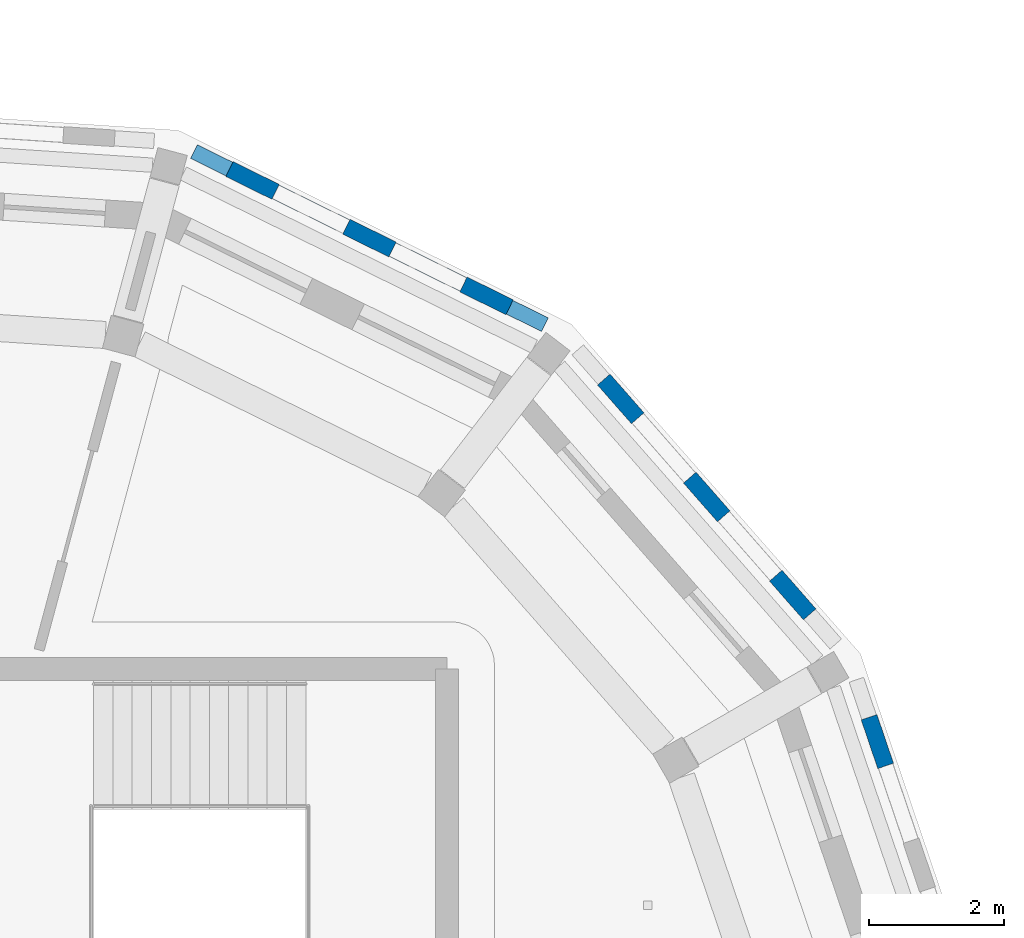
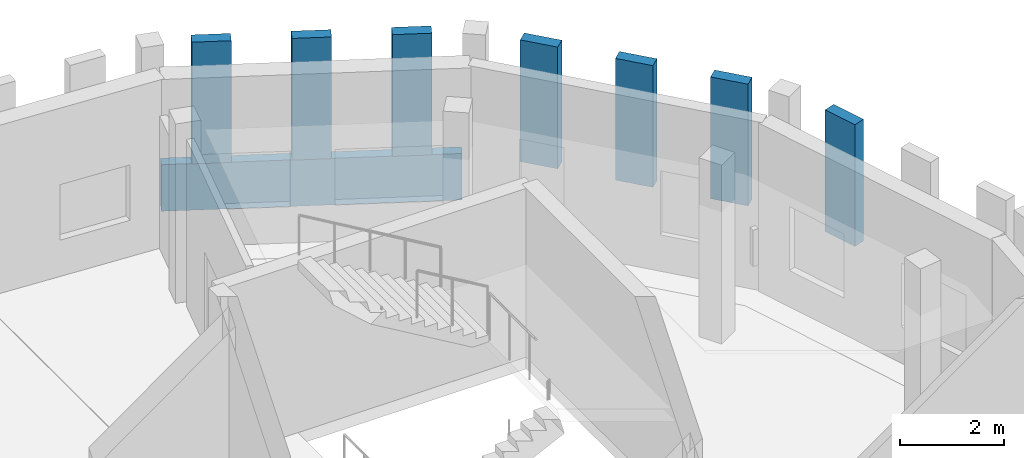
# One storey, part 53 of 68: 8 walls.
"""IFC4 building model written with IfcOpenShell, lengths in metres."""

import ifcopenshell
import ifcopenshell.guid

model = None  # the IFC model being written
_history = None  # IfcOwnerHistory: only IFC2X3 demands one
_inside = {}  # id of a spatial element -> (the spatial element, [elements in it])
_under = {}  # id of a project, library or spatial element -> (it, [spatial elements below it])
_declared = {}  # id of a project -> (the project, [libraries it declares])
_typed = {}  # id of a type object -> (the type object, [elements of that type])
_made_of = {}  # id of a material, layer set ... -> (it, [elements and type objects made of it])


def new_model(schema):
    """Start an empty IFC model of exactly this schema.

    Asked for "IFC4X3", IfcOpenShell would pick the latest addendum, in which some entities
    have other attributes; the version numbers below select the first issue.
    IFC2X3 requires an IfcOwnerHistory on every rooted entity: one is made here for all.
    """
    global model, _history
    if schema == "IFC4X3":
        model = ifcopenshell.file(schema_version=(4, 3, 0, 0))
    else:
        model = ifcopenshell.file(schema=schema)
    _inside.clear()
    _under.clear()
    _declared.clear()
    _typed.clear()
    _made_of.clear()
    _history = None
    if model.schema == "IFC2X3":
        org = make("IfcOrganization", Name="unknown")
        user = make(
            "IfcPersonAndOrganization",
            ThePerson=make("IfcPerson", FamilyName="unknown"),
            TheOrganization=org,
        )
        app = make(
            "IfcApplication",
            ApplicationDeveloper=org,
            Version="unknown",
            ApplicationFullName="unknown",
            ApplicationIdentifier="unknown",
        )
        _history = make(
            "IfcOwnerHistory",
            OwningUser=user,
            OwningApplication=app,
            ChangeAction="ADDED",
            CreationDate=0,
        )
    return model


def make(cls, **values):
    """One entity of the class cls with the attributes given. An attribute that is None is left unset."""
    return model.create_entity(
        cls, **{name: value for name, value in values.items() if value is not None}
    )


def rooted(cls, **values):
    """An entity with a GlobalId (a new one), such as an element, a storey or a relation."""
    return make(cls, GlobalId=ifcopenshell.guid.new(), OwnerHistory=_history, **values)


def si_unit(unit_type, name, prefix=None):
    """IfcSIUnit, for example si_unit("LENGTHUNIT", "METRE", prefix="MILLI")."""
    return make("IfcSIUnit", UnitType=unit_type, Prefix=prefix, Name=name)


def assignment(units):
    """IfcUnitAssignment: the units of a project."""
    return None if units is None else make("IfcUnitAssignment", Units=units)


def point(xyz):
    """IfcCartesianPoint."""
    return None if xyz is None else make("IfcCartesianPoint", Coordinates=xyz)


def direction(xyz):
    """IfcDirection."""
    return None if xyz is None else make("IfcDirection", DirectionRatios=xyz)


def frame(location, z_axis=None, x_axis=None):
    """IfcAxis2Placement3D, a coordinate frame: its origin and axes. An axis left out is left unset."""
    return make(
        "IfcAxis2Placement3D",
        Location=point(location),
        Axis=direction(z_axis),
        RefDirection=direction(x_axis),
    )


def frame_2d(location, x_axis=None):
    """IfcAxis2Placement2D, a coordinate frame in the plane: its origin and x axis."""
    return make(
        "IfcAxis2Placement2D", Location=point(location), RefDirection=direction(x_axis)
    )


def origin():
    """The frame at (0, 0, 0) with its axes left unset."""
    return frame((0.0, 0.0, 0.0))


def place(relative_to, where):
    """IfcLocalPlacement: puts the frame where relative to a parent placement (None: the world)."""
    return make(
        "IfcLocalPlacement", PlacementRelTo=relative_to, RelativePlacement=where
    )


def context(
    kind, dimensions, precision=None, world=None, true_north=None, identifier=None
):
    """IfcGeometricRepresentationContext, for example the 3D "Model" context."""
    return make(
        "IfcGeometricRepresentationContext",
        ContextIdentifier=identifier,
        ContextType=kind,
        CoordinateSpaceDimension=dimensions,
        Precision=precision,
        WorldCoordinateSystem=world,
        TrueNorth=true_north,
    )


def subcontext(parent, identifier, kind, view, scale=None):
    """IfcGeometricRepresentationSubContext, for example "Body" below "Model"."""
    return make(
        "IfcGeometricRepresentationSubContext",
        ContextIdentifier=identifier,
        ContextType=kind,
        ParentContext=parent,
        TargetScale=scale,
        TargetView=view,
    )


def project(units=None, contexts=None):
    """IfcProject with its units and contexts."""
    return rooted(
        "IfcProject",
        Name="project",
        RepresentationContexts=contexts,
        UnitsInContext=assignment(units),
    )


def spatial(cls, under=None, at=None, **own):
    """A site, building, storey or space (cls), placed at a placement, below another one or the project."""
    s = rooted(cls, ObjectPlacement=at, **own)
    if under is not None:
        _under.setdefault(under.id(), (under, []))[1].append(s)
    return s


def profile(cls, at=None, kind="AREA", **sizes):
    """A parametric profile (cls). Its sizes go by their IFC names, for example OverallWidth=200.0."""
    return make(cls, ProfileType=kind, Position=at, **sizes)


def rectangle(**sizes):
    """IfcRectangleProfileDef."""
    return profile("IfcRectangleProfileDef", **sizes)


def extrude(swept, where, along, depth):
    """IfcExtrudedAreaSolid: the profile swept, set in the frame where, extruded along a direction by depth."""
    return make(
        "IfcExtrudedAreaSolid",
        SweptArea=swept,
        Position=where,
        ExtrudedDirection=direction(along),
        Depth=depth,
    )


def shape(context_of_items, identifier, shape_type, items):
    """IfcShapeRepresentation: the items that make up one representation, for example the "Body"."""
    return make(
        "IfcShapeRepresentation",
        ContextOfItems=context_of_items,
        RepresentationIdentifier=identifier,
        RepresentationType=shape_type,
        Items=items,
    )


def material(Name=None, Category=None):
    """IfcMaterial."""
    return make("IfcMaterial", Name=Name, Category=Category)


def layer(
    of_material, thickness, ventilated=None, Name=None, Category=None, Priority=None
):
    """IfcMaterialLayer: one layer of a wall or slab, of a material (None: an air gap)."""
    return make(
        "IfcMaterialLayer",
        Material=of_material,
        LayerThickness=thickness,
        IsVentilated=ventilated,
        Name=Name,
        Category=Category,
        Priority=Priority,
    )


def layer_set(layers, Name=None):
    """IfcMaterialLayerSet."""
    return make("IfcMaterialLayerSet", MaterialLayers=layers, LayerSetName=Name)


def made_of(thing, what):
    """Note that an element or type object is made of a material, layer set ...; save() writes the relation."""
    if what is not None:
        _made_of.setdefault(what.id(), (what, []))[1].append(thing)
    return thing


def type_object(cls, material=None, **own):
    """A type object (cls), such as IfcWallType, which elements share."""
    return made_of(rooted(cls, **own), material)


def element(
    cls,
    number,
    at=None,
    inside=None,
    cuts=None,
    type_object=None,
    material=None,
    context=None,
    identifier="Body",
    shape_type=None,
    held_by="IfcProductDefinitionShape",
    body=None,
    shapes=None,
    **own,
):
    """One element of the class cls, such as IfcWall. Its Tag is "e" and its number.

    at: its placement. inside: the storey or other place that contains it. cuts: it is an
    opening in that element (IfcRelVoidsElement). A single representation is given by context,
    identifier, shape_type and body (its items); several are given by shapes. held_by: the class
    of the entity that holds the representations. save() writes the other relations.
    """
    e = rooted(cls, Tag="e%d" % number, ObjectPlacement=at, **own)
    if body is not None:
        shapes = [shape(context, identifier, shape_type, body)]
    if shapes is not None:
        e.Representation = make(held_by, Representations=shapes)
    if inside is not None:
        _inside.setdefault(inside.id(), (inside, []))[1].append(e)
    if cuts is not None:
        rooted(
            "IfcRelVoidsElement", RelatingBuildingElement=cuts, RelatedOpeningElement=e
        )
    if type_object is not None:
        _typed.setdefault(type_object.id(), (type_object, []))[1].append(e)
    return made_of(e, material)


def aggregate(whole, parts):
    """IfcRelAggregates: a whole, such as a stair, and the parts it consists of."""
    return rooted("IfcRelAggregates", RelatingObject=whole, RelatedObjects=parts)


def save(model, path):
    """Write the relations noted so far, then the file.

    IfcRelAggregates (storeys below a building ...), IfcRelContainedInSpatialStructure (elements
    in a storey), IfcRelDefinesByType, IfcRelAssociatesMaterial and IfcRelDeclares: one each for
    every whole, place, type object, material and project.
    """
    for whole, parts in _under.values():
        aggregate(whole, parts)
    for where, things in _inside.values():
        rooted(
            "IfcRelContainedInSpatialStructure",
            RelatedElements=things,
            RelatingStructure=where,
        )
    for kind, things in _typed.values():
        rooted("IfcRelDefinesByType", RelatedObjects=things, RelatingType=kind)
    for what, things in _made_of.values():
        rooted("IfcRelAssociatesMaterial", RelatedObjects=things, RelatingMaterial=what)
    for by, libraries in _declared.values():
        rooted("IfcRelDeclares", RelatingContext=by, RelatedDefinitions=libraries)
    model.write(path)


model = new_model("IFC4")

# Units and contexts
model_context = context("Model", 3, precision=1e-05, world=origin(), true_north=direction((0.0, 1.0)))
body_context = subcontext(model_context, "Body", "Model", "MODEL_VIEW")
ifc_project = project(units=[si_unit("LENGTHUNIT", "METRE"), si_unit("AREAUNIT", "SQUARE_METRE"), si_unit("VOLUMEUNIT", "CUBIC_METRE"), si_unit("PLANEANGLEUNIT", "RADIAN"), si_unit("MASSUNIT", "GRAM", prefix="KILO")], contexts=[model_context])

# Site, building, storey
site_placement = place(None, origin())
site = spatial("IfcSite", under=ifc_project, at=site_placement, CompositionType="ELEMENT")
building_placement = place(site_placement, origin())
building = spatial("IfcBuilding", under=site, at=building_placement, Name="Wrenclough Park School", CompositionType="ELEMENT")
storey_placement = place(building_placement, frame((0.0, 0.0, 12.60009765625)))
storey = spatial("IfcBuildingStorey", under=building, at=storey_placement, Name="L03", CompositionType="ELEMENT", Elevation=12.60009765625)

# Walls
ifc_material_1 = material(Name="Perforated open-bond Staffordshire and Manchester brick screen pier", Category="masonry")
ifc_layer_1 = layer(ifc_material_1, 0.2451171875)
ifc_layer_set_1 = layer_set([ifc_layer_1], Name="Perforated open-bond Staffordshire and Manchester brick screen pier")
wall_type_1 = type_object("IfcWallType", Name="ENV-BS-PR245", PredefinedType="ELEMENTEDWALL", material=ifc_layer_set_1)
for number, where, z_axis, x_axis, name in (
    (1, (189.249267578125, 100.140869140625, 1.08984375), (0.0, 0.0, 1.0), (-0.321522655386, 0.946901886192, 0.0), "D5 L03 perforated brick screen pier 0849"),
    (2, (188.126953125, 102.381103515625, 1.08984375), (0.0, 0.0, 1.0), (-0.659504701015, 0.751700438565, 0.0), "D5 L03 perforated brick screen pier 0850"),
):
    element("IfcWall", number, at=place(storey_placement, frame(where, z_axis=z_axis, x_axis=x_axis)), inside=storey, type_object=wall_type_1, Name=name, PredefinedType="ELEMENTEDWALL", context=body_context, shape_type="SweptSolid", body=[
        extrude(rectangle(XDim=0.760009765625, YDim=0.2451171875, at=frame_2d((0.3798828125, 0.0))), origin(), (0.0, 0.0, 1.0), 2.85009765625),
    ])
wall_1_placement = place(storey_placement, frame((186.856201171875, 103.830078125, 1.08984375), z_axis=(0.0, 0.0, 1.0), x_axis=(-0.659345470196, 0.751840109951, 0.0)))
element("IfcWall", 3, at=wall_1_placement, inside=storey, type_object=wall_type_1, Name="D5 L03 perforated brick screen pier 0851", PredefinedType="ELEMENTEDWALL", context=body_context, shape_type="SweptSolid", body=[
    extrude(rectangle(XDim=0.76025390625, YDim=0.2451171875, at=frame_2d((0.380126953125, 0.0))), origin(), (0.0, 0.0, 1.0), 2.85009765625),
])
for number, where, z_axis, x_axis, name in (
    (4, (185.58544921875, 105.279296875, 1.08984375), (0.0, 0.0, 1.0), (-0.659504701015, 0.751700438565, 0.0), "D5 L03 perforated brick screen pier 0852"),
    (5, (183.691162109375, 106.919921875, 1.08984375), (0.0, 0.0, 1.0), (-0.896855160379, 0.442324339485, 0.0), "D5 L03 perforated brick screen pier 0853"),
    (6, (181.96240234375, 107.7724609375, 1.08984375), (0.0, 0.0, 1.0), (-0.896855160379, 0.442324339485, 0.0), "D5 L03 perforated brick screen pier 0854"),
):
    element("IfcWall", number, at=place(storey_placement, frame(where, z_axis=z_axis, x_axis=x_axis)), inside=storey, type_object=wall_type_1, Name=name, PredefinedType="ELEMENTEDWALL", context=body_context, shape_type="SweptSolid", body=[
        extrude(rectangle(XDim=0.760009765625, YDim=0.2451171875, at=frame_2d((0.3798828125, 0.0))), origin(), (0.0, 0.0, 1.0), 2.85009765625),
    ])
wall_2_placement = place(storey_placement, frame((180.2333984375, 108.625, 1.08984375), z_axis=(0.0, 0.0, 1.0), x_axis=(-0.896792285629, 0.442451801258, 0.0)))
element("IfcWall", 7, at=wall_2_placement, inside=storey, type_object=wall_type_1, Name="D5 L03 perforated brick screen pier 0855", PredefinedType="ELEMENTEDWALL", context=body_context, shape_type="SweptSolid", body=[
    extrude(rectangle(XDim=0.759765625, YDim=0.2451171875, at=frame_2d((0.3798828125, 0.0))), origin(), (0.0, 0.0, 1.0), 2.85009765625),
])
ifc_material_2 = material(Name="Open-bond Manchester multi-stock brick spandrel screen", Category="masonry")
ifc_layer_2 = layer(ifc_material_2, 0.22509765625)
ifc_layer_set_2 = layer_set([ifc_layer_2], Name="Open-bond Manchester multi-stock brick spandrel screen")
wall_type_2 = type_object("IfcWallType", Name="ENV-BS-SP225", PredefinedType="ELEMENTEDWALL", material=ifc_layer_set_2)
wall_3_placement = place(storey_placement, frame((184.21484375, 106.66162109375, 0.0), z_axis=(0.0, 0.0, 1.0), x_axis=(-0.896862382364, 0.442309695915, 0.0)))
element("IfcWall", 8, at=wall_3_placement, inside=storey, type_object=wall_type_2, Name="D5 L03 open-bond brick screen spandrel 0229", PredefinedType="ELEMENTEDWALL", context=body_context, shape_type="SweptSolid", body=[
    extrude(rectangle(XDim=5.782958984375, YDim=0.22509765625, at=frame_2d((2.8916015625, 0.0))), origin(), (0.0, 0.0, 1.0), 1.08984375),
])

save(model, "model.ifc")
